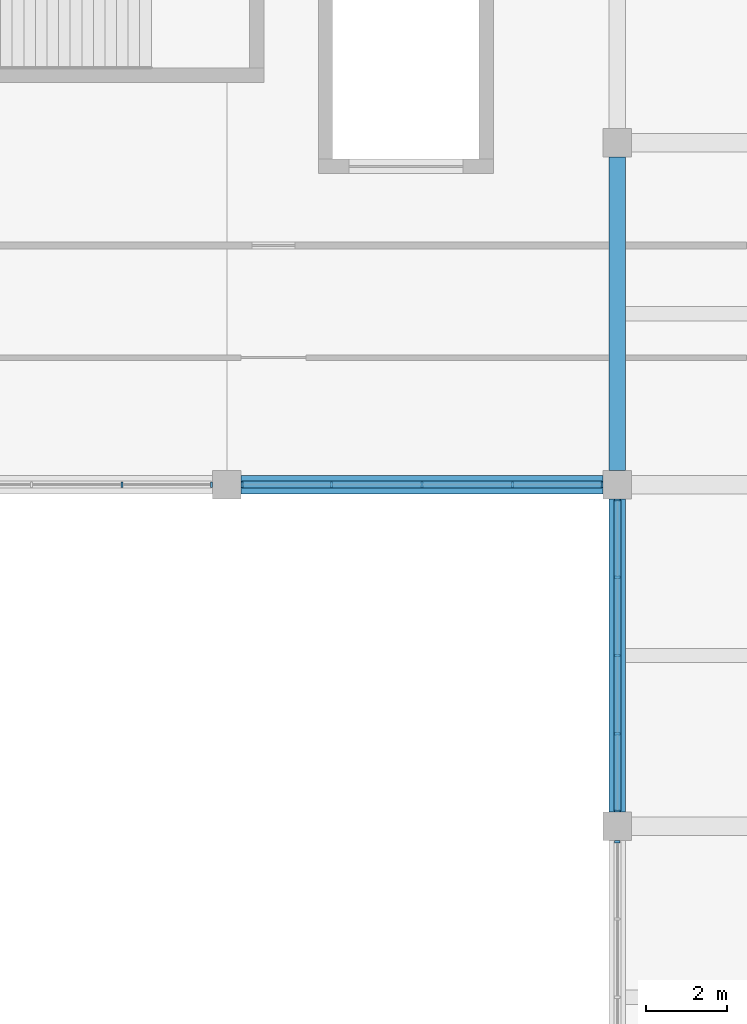
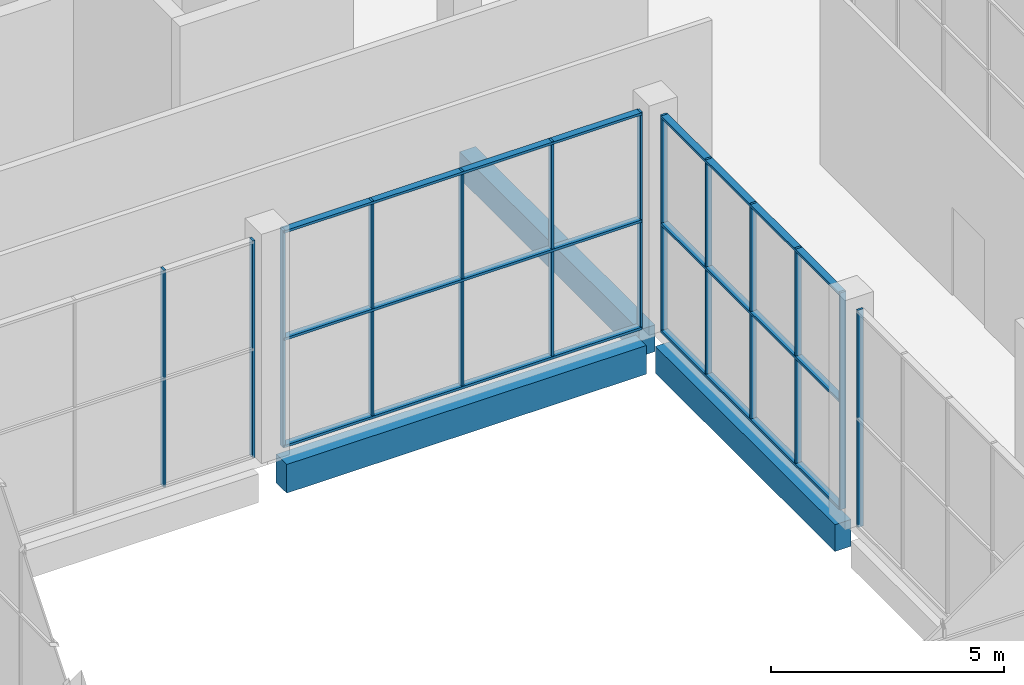
# One storey, part 23 of 84: 19 members, 3 beams, 4 elements without a shape of their own.
"""IFC4 building model written with IfcOpenShell, lengths in metres."""

import ifcopenshell
import ifcopenshell.guid

model = None  # the IFC model being written
_history = None  # IfcOwnerHistory: only IFC2X3 demands one
_inside = {}  # id of a spatial element -> (the spatial element, [elements in it])
_under = {}  # id of a project, library or spatial element -> (it, [spatial elements below it])
_declared = {}  # id of a project -> (the project, [libraries it declares])
_typed = {}  # id of a type object -> (the type object, [elements of that type])
_made_of = {}  # id of a material, layer set ... -> (it, [elements and type objects made of it])


def new_model(schema):
    """Start an empty IFC model of exactly this schema.

    Asked for "IFC4X3", IfcOpenShell would pick the latest addendum, in which some entities
    have other attributes; the version numbers below select the first issue.
    IFC2X3 requires an IfcOwnerHistory on every rooted entity: one is made here for all.
    """
    global model, _history
    if schema == "IFC4X3":
        model = ifcopenshell.file(schema_version=(4, 3, 0, 0))
    else:
        model = ifcopenshell.file(schema=schema)
    _inside.clear()
    _under.clear()
    _declared.clear()
    _typed.clear()
    _made_of.clear()
    _history = None
    if model.schema == "IFC2X3":
        org = make("IfcOrganization", Name="unknown")
        user = make(
            "IfcPersonAndOrganization",
            ThePerson=make("IfcPerson", FamilyName="unknown"),
            TheOrganization=org,
        )
        app = make(
            "IfcApplication",
            ApplicationDeveloper=org,
            Version="unknown",
            ApplicationFullName="unknown",
            ApplicationIdentifier="unknown",
        )
        _history = make(
            "IfcOwnerHistory",
            OwningUser=user,
            OwningApplication=app,
            ChangeAction="ADDED",
            CreationDate=0,
        )
    return model


def make(cls, **values):
    """One entity of the class cls with the attributes given. An attribute that is None is left unset."""
    return model.create_entity(
        cls, **{name: value for name, value in values.items() if value is not None}
    )


def rooted(cls, **values):
    """An entity with a GlobalId (a new one), such as an element, a storey or a relation."""
    return make(cls, GlobalId=ifcopenshell.guid.new(), OwnerHistory=_history, **values)


def si_unit(unit_type, name, prefix=None):
    """IfcSIUnit, for example si_unit("LENGTHUNIT", "METRE", prefix="MILLI")."""
    return make("IfcSIUnit", UnitType=unit_type, Prefix=prefix, Name=name)


def assignment(units):
    """IfcUnitAssignment: the units of a project."""
    return None if units is None else make("IfcUnitAssignment", Units=units)


def point(xyz):
    """IfcCartesianPoint."""
    return None if xyz is None else make("IfcCartesianPoint", Coordinates=xyz)


def direction(xyz):
    """IfcDirection."""
    return None if xyz is None else make("IfcDirection", DirectionRatios=xyz)


def frame(location, z_axis=None, x_axis=None):
    """IfcAxis2Placement3D, a coordinate frame: its origin and axes. An axis left out is left unset."""
    return make(
        "IfcAxis2Placement3D",
        Location=point(location),
        Axis=direction(z_axis),
        RefDirection=direction(x_axis),
    )


def frame_2d(location, x_axis=None):
    """IfcAxis2Placement2D, a coordinate frame in the plane: its origin and x axis."""
    return make(
        "IfcAxis2Placement2D", Location=point(location), RefDirection=direction(x_axis)
    )


def origin():
    """The frame at (0, 0, 0) with its axes left unset."""
    return frame((0.0, 0.0, 0.0))


def origin_2d():
    """The frame at (0, 0) in the plane with its x axis left unset."""
    return frame_2d((0.0, 0.0))


def place(relative_to, where):
    """IfcLocalPlacement: puts the frame where relative to a parent placement (None: the world)."""
    return make(
        "IfcLocalPlacement", PlacementRelTo=relative_to, RelativePlacement=where
    )


def context(
    kind, dimensions, precision=None, world=None, true_north=None, identifier=None
):
    """IfcGeometricRepresentationContext, for example the 3D "Model" context."""
    return make(
        "IfcGeometricRepresentationContext",
        ContextIdentifier=identifier,
        ContextType=kind,
        CoordinateSpaceDimension=dimensions,
        Precision=precision,
        WorldCoordinateSystem=world,
        TrueNorth=true_north,
    )


def subcontext(parent, identifier, kind, view, scale=None):
    """IfcGeometricRepresentationSubContext, for example "Body" below "Model"."""
    return make(
        "IfcGeometricRepresentationSubContext",
        ContextIdentifier=identifier,
        ContextType=kind,
        ParentContext=parent,
        TargetScale=scale,
        TargetView=view,
    )


def project(units=None, contexts=None):
    """IfcProject with its units and contexts."""
    return rooted(
        "IfcProject",
        Name="project",
        RepresentationContexts=contexts,
        UnitsInContext=assignment(units),
    )


def spatial(cls, under=None, at=None, **own):
    """A site, building, storey or space (cls), placed at a placement, below another one or the project."""
    s = rooted(cls, ObjectPlacement=at, **own)
    if under is not None:
        _under.setdefault(under.id(), (under, []))[1].append(s)
    return s


def profile(cls, at=None, kind="AREA", **sizes):
    """A parametric profile (cls). Its sizes go by their IFC names, for example OverallWidth=200.0."""
    return make(cls, ProfileType=kind, Position=at, **sizes)


def rectangle(**sizes):
    """IfcRectangleProfileDef."""
    return profile("IfcRectangleProfileDef", **sizes)


def extrude(swept, where, along, depth):
    """IfcExtrudedAreaSolid: the profile swept, set in the frame where, extruded along a direction by depth."""
    return make(
        "IfcExtrudedAreaSolid",
        SweptArea=swept,
        Position=where,
        ExtrudedDirection=direction(along),
        Depth=depth,
    )


def shape(context_of_items, identifier, shape_type, items):
    """IfcShapeRepresentation: the items that make up one representation, for example the "Body"."""
    return make(
        "IfcShapeRepresentation",
        ContextOfItems=context_of_items,
        RepresentationIdentifier=identifier,
        RepresentationType=shape_type,
        Items=items,
    )


def material(Name=None, Category=None):
    """IfcMaterial."""
    return make("IfcMaterial", Name=Name, Category=Category)


def material_profile(
    of_material, cross_section, Name=None, Category=None, Priority=None
):
    """IfcMaterialProfile: a cross section and its material."""
    return make(
        "IfcMaterialProfile",
        Name=Name,
        Material=of_material,
        Profile=cross_section,
        Priority=Priority,
        Category=Category,
    )


def profile_set(profiles, Name=None, composite=None):
    """IfcMaterialProfileSet."""
    return make(
        "IfcMaterialProfileSet",
        Name=Name,
        MaterialProfiles=profiles,
        CompositeProfile=composite,
    )


def made_of(thing, what):
    """Note that an element or type object is made of a material, layer set ...; save() writes the relation."""
    if what is not None:
        _made_of.setdefault(what.id(), (what, []))[1].append(thing)
    return thing


def type_object(cls, material=None, **own):
    """A type object (cls), such as IfcWallType, which elements share."""
    return made_of(rooted(cls, **own), material)


def element(
    cls,
    number,
    at=None,
    inside=None,
    cuts=None,
    type_object=None,
    material=None,
    context=None,
    identifier="Body",
    shape_type=None,
    held_by="IfcProductDefinitionShape",
    body=None,
    shapes=None,
    **own,
):
    """One element of the class cls, such as IfcWall. Its Tag is "e" and its number.

    at: its placement. inside: the storey or other place that contains it. cuts: it is an
    opening in that element (IfcRelVoidsElement). A single representation is given by context,
    identifier, shape_type and body (its items); several are given by shapes. held_by: the class
    of the entity that holds the representations. save() writes the other relations.
    """
    e = rooted(cls, Tag="e%d" % number, ObjectPlacement=at, **own)
    if body is not None:
        shapes = [shape(context, identifier, shape_type, body)]
    if shapes is not None:
        e.Representation = make(held_by, Representations=shapes)
    if inside is not None:
        _inside.setdefault(inside.id(), (inside, []))[1].append(e)
    if cuts is not None:
        rooted(
            "IfcRelVoidsElement", RelatingBuildingElement=cuts, RelatedOpeningElement=e
        )
    if type_object is not None:
        _typed.setdefault(type_object.id(), (type_object, []))[1].append(e)
    return made_of(e, material)


def aggregate(whole, parts):
    """IfcRelAggregates: a whole, such as a stair, and the parts it consists of."""
    return rooted("IfcRelAggregates", RelatingObject=whole, RelatedObjects=parts)


def save(model, path):
    """Write the relations noted so far, then the file.

    IfcRelAggregates (storeys below a building ...), IfcRelContainedInSpatialStructure (elements
    in a storey), IfcRelDefinesByType, IfcRelAssociatesMaterial and IfcRelDeclares: one each for
    every whole, place, type object, material and project.
    """
    for whole, parts in _under.values():
        aggregate(whole, parts)
    for where, things in _inside.values():
        rooted(
            "IfcRelContainedInSpatialStructure",
            RelatedElements=things,
            RelatingStructure=where,
        )
    for kind, things in _typed.values():
        rooted("IfcRelDefinesByType", RelatedObjects=things, RelatingType=kind)
    for what, things in _made_of.values():
        rooted("IfcRelAssociatesMaterial", RelatedObjects=things, RelatingMaterial=what)
    for by, libraries in _declared.values():
        rooted("IfcRelDeclares", RelatingContext=by, RelatedDefinitions=libraries)
    model.write(path)


model = new_model("IFC4")

# Units and contexts
model_context = context("Model", 3, precision=1e-05, world=origin(), true_north=direction((0.0, 1.0)))
body_context = subcontext(model_context, "Body", "Model", "MODEL_VIEW")
ifc_project = project(units=[si_unit("LENGTHUNIT", "METRE"), si_unit("AREAUNIT", "SQUARE_METRE"), si_unit("VOLUMEUNIT", "CUBIC_METRE"), si_unit("PLANEANGLEUNIT", "RADIAN"), si_unit("MASSUNIT", "GRAM", prefix="KILO")], contexts=[model_context])

# Site, building, storey
site_placement = place(None, origin())
site = spatial("IfcSite", under=ifc_project, at=site_placement, CompositionType="ELEMENT")
building_placement = place(site_placement, origin())
building = spatial("IfcBuilding", under=site, at=building_placement, Name="Shalvenor Court Art Gallery", CompositionType="ELEMENT")
storey_placement = place(building_placement, origin())
storey = spatial("IfcBuildingStorey", under=building, at=storey_placement, Name="L00", CompositionType="ELEMENT", Elevation=0.0)

# Beams
ifc_material_1 = material(Name="Concrete C40/50", Category="concrete")
ifc_material_profile_1 = material_profile(ifc_material_1, rectangle(XDim=0.449951171875, YDim=0.75, at=origin_2d()), Name="RC 450x750")
ifc_profile_set_1 = profile_set([ifc_material_profile_1], Name="Concrete C40/50")
beam_type_1 = type_object("IfcBeamType", Name="B-04", PredefinedType="BEAM", material=ifc_profile_set_1)
beam_placement = place(storey_placement, frame((19.550048828125, 105.60009765625, -0.715087890625), z_axis=(1.0, 0.0, 0.0), x_axis=(0.0, 1.0, 0.0)))
element("IfcBeam", 1, at=beam_placement, inside=storey, type_object=beam_type_1, Name="L00 Girder BM-L00-B-04-0253", PredefinedType="BEAM", context=body_context, shape_type="SweptSolid", body=[
    extrude(rectangle(XDim=0.449951171875, YDim=0.75, at=origin_2d()), origin(), (0.0, 0.0, 1.0), 8.89990234375),
])
ifc_material_2 = material(Name="Concrete C40/50", Category="concrete")
ifc_material_profile_2 = material_profile(ifc_material_2, rectangle(XDim=0.39990234375, YDim=0.699951171875, at=origin_2d()), Name="RC 400x700")
ifc_profile_set_2 = profile_set([ifc_material_profile_2], Name="Concrete C40/50")
beam_type_2 = type_object("IfcBeamType", Name="B-05", PredefinedType="BEAM", material=ifc_profile_set_2)
for number, where, z_axis, x_axis, name in (
    (2, (28.800048828125, 97.550048828125, -0.68994140625), (0.0, 1.0, 0.0), (-1.0, 0.0, 0.0), "L00 Girder BM-L00-B-05-0029"),
    (3, (28.800048828125, 105.949951171875, -0.68994140625), (0.0, 1.0, 0.0), (-1.0, 0.0, 0.0), "L00 Girder BM-L00-B-05-0030"),
):
    element("IfcBeam", number, at=place(storey_placement, frame(where, z_axis=z_axis, x_axis=x_axis)), inside=storey, type_object=beam_type_2, Name=name, PredefinedType="BEAM", context=body_context, shape_type="SweptSolid", body=[
        extrude(rectangle(XDim=0.39990234375, YDim=0.699951171875, at=origin_2d()), origin(), (0.0, 0.0, 1.0), 7.699951171875),
    ])

# Curtain wall, member
ifc_material_3 = material(Name="Anodised aluminium and low-iron glass curtain wall", Category="aluminium")
curtain_wall_type_1 = type_object("IfcCurtainWallType", Name="CW-CT-4-77", PredefinedType="USERDEFINED", material=ifc_material_3)
curtain_wall_1_placement = place(storey_placement, origin())
curtain_wall_1 = element("IfcCurtainWall", 4, at=curtain_wall_1_placement, inside=storey, type_object=curtain_wall_type_1, Name="L00 Studios Courtyard Curtain Wall CW-CRT-L00-161", ObjectType="CURTAIN WALL", PredefinedType="USERDEFINED")
ifc_material_4 = material(Name="Anodised aluminium mullion", Category="aluminium")
ifc_material_profile_3 = material_profile(ifc_material_4, rectangle(XDim=0.054931640625, YDim=0.139892578125, at=origin_2d()), Name="CWM-06")
ifc_profile_set_3 = profile_set([ifc_material_profile_3], Name="Anodised aluminium mullion")
member_type_1 = type_object("IfcMemberType", Name="CWM-06", PredefinedType="MULLION", material=ifc_profile_set_3)
member_1_placement = place(storey_placement, frame((28.800048828125, 96.822509765625, 0.0), z_axis=(0.0, 0.0, 1.0), x_axis=(0.0, 1.0, 0.0)))
member_1 = element("IfcMember", 5, at=member_1_placement, type_object=member_type_1, Name="CW-CT-4-77 mullion 5", PredefinedType="MULLION", context=body_context, shape_type="SweptSolid", body=[
    extrude(rectangle(XDim=0.054931640625, YDim=0.139892578125, at=origin_2d()), origin(), (0.0, 0.0, 1.0), 5.679931640625),
])
aggregate(curtain_wall_1, [member_1])

# Curtain wall, members
curtain_wall_2_placement = place(storey_placement, origin())
curtain_wall_2 = element("IfcCurtainWall", 6, at=curtain_wall_2_placement, inside=storey, type_object=curtain_wall_type_1, Name="L00 Studios Courtyard Curtain Wall CW-CRT-L00-162", ObjectType="CURTAIN WALL", PredefinedType="USERDEFINED")
member_2_placement = place(storey_placement, frame((28.800048828125, 97.577392578125, 0.0), z_axis=(0.0, 0.0, 1.0), x_axis=(0.0, 1.0, 0.0)))
member_2 = element("IfcMember", 7, at=member_2_placement, type_object=member_type_1, Name="CW-CT-4-77 mullion 1", PredefinedType="MULLION", context=body_context, shape_type="SweptSolid", body=[
    extrude(rectangle(XDim=0.054931640625, YDim=0.139892578125, at=origin_2d()), origin(), (0.0, 0.0, 1.0), 5.679931640625),
])
member_3_placement = place(storey_placement, frame((28.800048828125, 99.47509765625, 0.0), z_axis=(0.0, 0.0, 1.0), x_axis=(0.0, 1.0, 0.0)))
member_3 = element("IfcMember", 8, at=member_3_placement, type_object=member_type_1, Name="CW-CT-4-77 mullion 2", PredefinedType="MULLION", context=body_context, shape_type="SweptSolid", body=[
    extrude(rectangle(XDim=0.054931640625, YDim=0.139892578125, at=origin_2d()), origin(), (0.0, 0.0, 1.0), 5.679931640625),
])
member_4_placement = place(storey_placement, frame((28.800048828125, 101.39990234375, 0.0), z_axis=(0.0, 0.0, 1.0), x_axis=(0.0, 1.0, 0.0)))
member_4 = element("IfcMember", 9, at=member_4_placement, type_object=member_type_1, Name="CW-CT-4-77 mullion 3", PredefinedType="MULLION", context=body_context, shape_type="SweptSolid", body=[
    extrude(rectangle(XDim=0.054931640625, YDim=0.139892578125, at=origin_2d()), origin(), (0.0, 0.0, 1.0), 5.679931640625),
])
member_5_placement = place(storey_placement, frame((28.800048828125, 103.324951171875, 0.0), z_axis=(0.0, 0.0, 1.0), x_axis=(0.0, 1.0, 0.0)))
member_5 = element("IfcMember", 10, at=member_5_placement, type_object=member_type_1, Name="CW-CT-4-77 mullion 4", PredefinedType="MULLION", context=body_context, shape_type="SweptSolid", body=[
    extrude(rectangle(XDim=0.054931640625, YDim=0.139892578125, at=origin_2d()), origin(), (0.0, 0.0, 1.0), 5.679931640625),
])
member_6_placement = place(storey_placement, frame((28.800048828125, 105.222412109375, 0.0), z_axis=(0.0, 0.0, 1.0), x_axis=(0.0, 1.0, 0.0)))
member_6 = element("IfcMember", 11, at=member_6_placement, type_object=member_type_1, Name="CW-CT-4-77 mullion 5", PredefinedType="MULLION", context=body_context, shape_type="SweptSolid", body=[
    extrude(rectangle(XDim=0.054931640625, YDim=0.139892578125, at=origin_2d()), origin(), (0.0, 0.0, 1.0), 5.679931640625),
])

ifc_material_5 = material(Name="Anodised aluminium and low-iron glass curtain wall", Category="aluminium")
curtain_wall_type_2 = type_object("IfcCurtainWallType", Name="CW-CT-4-89", PredefinedType="USERDEFINED", material=ifc_material_5)
curtain_wall_3_placement = place(storey_placement, origin())
curtain_wall_3 = element("IfcCurtainWall", 12, at=curtain_wall_3_placement, inside=storey, type_object=curtain_wall_type_2, Name="L00 Studios Courtyard Curtain Wall CW-CRT-L00-163", ObjectType="CURTAIN WALL", PredefinedType="USERDEFINED")
member_7_placement = place(storey_placement, frame((28.422607421875, 105.60009765625, 0.0), z_axis=(0.0, 0.0, 1.0), x_axis=(-1.0, 0.0, 0.0)))
member_7 = element("IfcMember", 13, at=member_7_placement, type_object=member_type_1, Name="CW-CT-4-89 mullion 1", PredefinedType="MULLION", context=body_context, shape_type="SweptSolid", body=[
    extrude(rectangle(XDim=0.054931640625, YDim=0.139892578125, at=origin_2d()), origin(), (0.0, 0.0, 1.0), 5.679931640625),
])
member_8_placement = place(storey_placement, frame((26.22509765625, 105.60009765625, 0.0), z_axis=(0.0, 0.0, 1.0), x_axis=(-1.0, 0.0, 0.0)))
member_8 = element("IfcMember", 14, at=member_8_placement, type_object=member_type_1, Name="CW-CT-4-89 mullion 2", PredefinedType="MULLION", context=body_context, shape_type="SweptSolid", body=[
    extrude(rectangle(XDim=0.054931640625, YDim=0.139892578125, at=origin_2d()), origin(), (0.0, 0.0, 1.0), 5.679931640625),
])
member_9_placement = place(storey_placement, frame((24.0, 105.60009765625, 0.0), z_axis=(0.0, 0.0, 1.0), x_axis=(-1.0, 0.0, 0.0)))
member_9 = element("IfcMember", 15, at=member_9_placement, type_object=member_type_1, Name="CW-CT-4-89 mullion 3", PredefinedType="MULLION", context=body_context, shape_type="SweptSolid", body=[
    extrude(rectangle(XDim=0.054931640625, YDim=0.139892578125, at=origin_2d()), origin(), (0.0, 0.0, 1.0), 5.679931640625),
])
member_10_placement = place(storey_placement, frame((21.77490234375, 105.60009765625, 0.0), z_axis=(0.0, 0.0, 1.0), x_axis=(-1.0, 0.0, 0.0)))
member_10 = element("IfcMember", 16, at=member_10_placement, type_object=member_type_1, Name="CW-CT-4-89 mullion 4", PredefinedType="MULLION", context=body_context, shape_type="SweptSolid", body=[
    extrude(rectangle(XDim=0.054931640625, YDim=0.139892578125, at=origin_2d()), origin(), (0.0, 0.0, 1.0), 5.679931640625),
])
member_11_placement = place(storey_placement, frame((19.577392578125, 105.60009765625, 0.0), z_axis=(0.0, 0.0, 1.0), x_axis=(-1.0, 0.0, 0.0)))
member_11 = element("IfcMember", 17, at=member_11_placement, type_object=member_type_1, Name="CW-CT-4-89 mullion 5", PredefinedType="MULLION", context=body_context, shape_type="SweptSolid", body=[
    extrude(rectangle(XDim=0.054931640625, YDim=0.139892578125, at=origin_2d()), origin(), (0.0, 0.0, 1.0), 5.679931640625),
])

curtain_wall_4_placement = place(storey_placement, origin())
curtain_wall_4 = element("IfcCurtainWall", 18, at=curtain_wall_4_placement, inside=storey, type_object=curtain_wall_type_2, Name="L00 Studios Courtyard Curtain Wall CW-CRT-L00-164", ObjectType="CURTAIN WALL", PredefinedType="USERDEFINED")
member_12_placement = place(storey_placement, frame((18.822509765625, 105.60009765625, 0.0), z_axis=(0.0, 0.0, 1.0), x_axis=(-1.0, 0.0, 0.0)))
member_12 = element("IfcMember", 19, at=member_12_placement, type_object=member_type_1, Name="CW-CT-4-89 mullion 1", PredefinedType="MULLION", context=body_context, shape_type="SweptSolid", body=[
    extrude(rectangle(XDim=0.054931640625, YDim=0.139892578125, at=origin_2d()), origin(), (0.0, 0.0, 1.0), 5.679931640625),
])
member_13_placement = place(storey_placement, frame((16.625, 105.60009765625, 0.0), z_axis=(0.0, 0.0, 1.0), x_axis=(-1.0, 0.0, 0.0)))
member_13 = element("IfcMember", 20, at=member_13_placement, type_object=member_type_1, Name="CW-CT-4-89 mullion 2", PredefinedType="MULLION", context=body_context, shape_type="SweptSolid", body=[
    extrude(rectangle(XDim=0.054931640625, YDim=0.139892578125, at=origin_2d()), origin(), (0.0, 0.0, 1.0), 5.679931640625),
])
aggregate(curtain_wall_4, [member_12, member_13])

# Member
ifc_material_6 = material(Name="Anodised aluminium transom", Category="aluminium")
ifc_material_profile_4 = material_profile(ifc_material_6, rectangle(XDim=0.169921875, YDim=0.06494140625, at=origin_2d()), Name="CWT-02")
ifc_profile_set_4 = profile_set([ifc_material_profile_4], Name="Anodised aluminium transom")
member_type_2 = type_object("IfcMemberType", Name="CWT-02", PredefinedType="USERDEFINED", material=ifc_profile_set_4)
member_14_placement = place(storey_placement, frame((28.800048828125, 97.577392578125, 0.032470703125), z_axis=(0.0, 1.0, 0.0), x_axis=(-1.0, 0.0, 0.0)))
member_14 = element("IfcMember", 21, at=member_14_placement, type_object=member_type_2, Name="CW-CT-4-77 transom 1", ObjectType="TRANSOM", PredefinedType="USERDEFINED", context=body_context, shape_type="SweptSolid", body=[
    extrude(rectangle(XDim=0.169921875, YDim=0.06494140625, at=origin_2d()), origin(), (0.0, 0.0, 1.0), 7.64501953125),
])

member_15_placement = place(storey_placement, frame((28.800048828125, 97.577392578125, 2.840087890625), z_axis=(0.0, 1.0, 0.0), x_axis=(-1.0, 0.0, 0.0)))
member_15 = element("IfcMember", 22, at=member_15_placement, type_object=member_type_2, Name="CW-CT-4-77 transom 2", ObjectType="TRANSOM", PredefinedType="USERDEFINED", context=body_context, shape_type="SweptSolid", body=[
    extrude(rectangle(XDim=0.169921875, YDim=0.06494140625, at=origin_2d()), origin(), (0.0, 0.0, 1.0), 7.64501953125),
])

member_16_placement = place(storey_placement, frame((28.800048828125, 97.577392578125, 5.6474609375), z_axis=(0.0, 1.0, 0.0), x_axis=(-1.0, 0.0, 0.0)))
member_16 = element("IfcMember", 23, at=member_16_placement, type_object=member_type_2, Name="CW-CT-4-77 transom 3", ObjectType="TRANSOM", PredefinedType="USERDEFINED", context=body_context, shape_type="SweptSolid", body=[
    extrude(rectangle(XDim=0.169921875, YDim=0.06494140625, at=origin_2d()), origin(), (0.0, 0.0, 1.0), 7.64501953125),
])

aggregate(curtain_wall_2, [member_2, member_3, member_4, member_5, member_6, member_14, member_15, member_16])

member_17_placement = place(storey_placement, frame((28.422607421875, 105.60009765625, 0.032470703125), z_axis=(-1.0, 0.0, 0.0), x_axis=(0.0, -1.0, 0.0)))
member_17 = element("IfcMember", 24, at=member_17_placement, type_object=member_type_2, Name="CW-CT-4-89 transom 1", ObjectType="TRANSOM", PredefinedType="USERDEFINED", context=body_context, shape_type="SweptSolid", body=[
    extrude(rectangle(XDim=0.169921875, YDim=0.06494140625, at=origin_2d()), origin(), (0.0, 0.0, 1.0), 8.84521484375),
])

member_18_placement = place(storey_placement, frame((28.422607421875, 105.60009765625, 2.840087890625), z_axis=(-1.0, 0.0, 0.0), x_axis=(0.0, -1.0, 0.0)))
member_18 = element("IfcMember", 25, at=member_18_placement, type_object=member_type_2, Name="CW-CT-4-89 transom 2", ObjectType="TRANSOM", PredefinedType="USERDEFINED", context=body_context, shape_type="SweptSolid", body=[
    extrude(rectangle(XDim=0.169921875, YDim=0.06494140625, at=origin_2d()), origin(), (0.0, 0.0, 1.0), 8.84521484375),
])

member_19_placement = place(storey_placement, frame((28.422607421875, 105.60009765625, 5.6474609375), z_axis=(-1.0, 0.0, 0.0), x_axis=(0.0, -1.0, 0.0)))
member_19 = element("IfcMember", 26, at=member_19_placement, type_object=member_type_2, Name="CW-CT-4-89 transom 3", ObjectType="TRANSOM", PredefinedType="USERDEFINED", context=body_context, shape_type="SweptSolid", body=[
    extrude(rectangle(XDim=0.169921875, YDim=0.06494140625, at=origin_2d()), origin(), (0.0, 0.0, 1.0), 8.84521484375),
])

aggregate(curtain_wall_3, [member_7, member_8, member_9, member_10, member_11, member_17, member_18, member_19])

save(model, "model.ifc")
